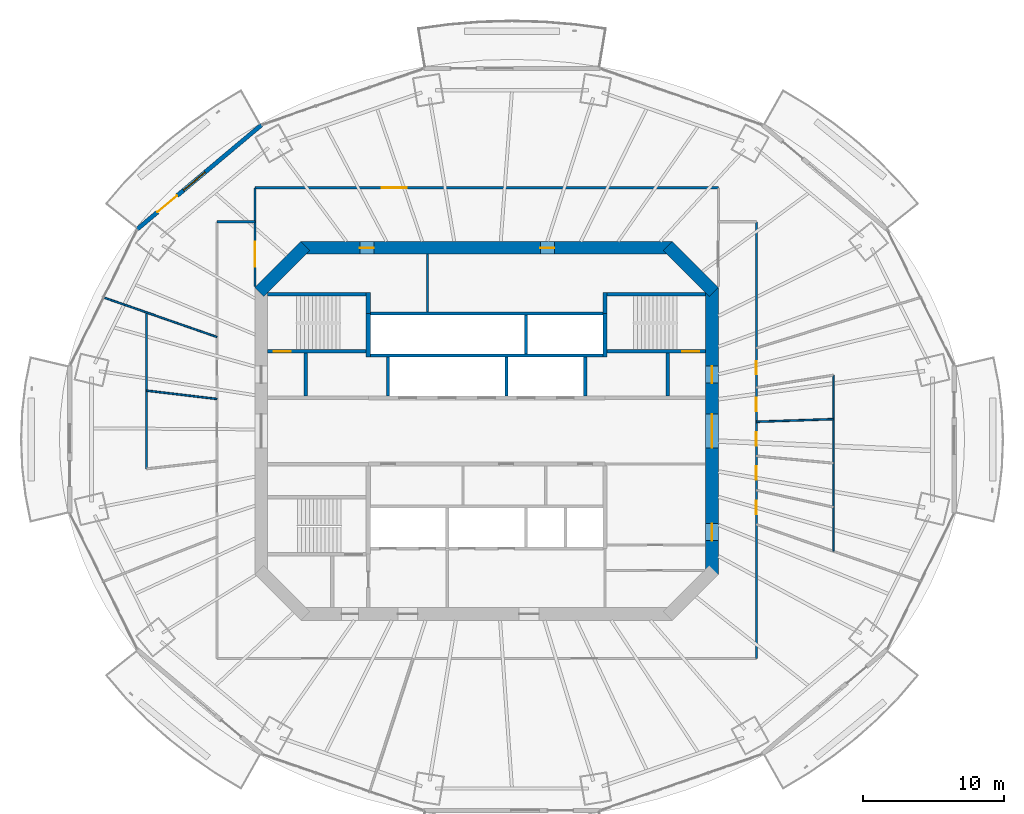
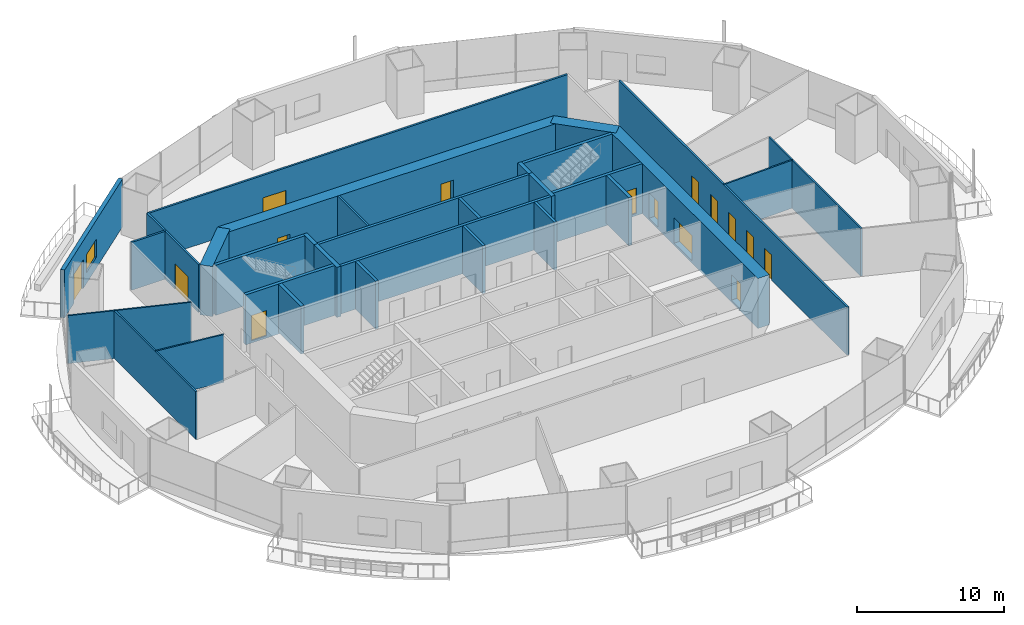
# One storey, part 13 of 20: 31 walls, 15 doors, 1 window, 16 openings.
"""IFC4 building model written with IfcOpenShell, lengths in metres."""

from ifc_helpers import new_model, si_unit, direction, frame, frame_2d, origin, place, context, subcontext, project, spatial, rectangle, extrude, material, layer, layer_set, type_object, element, fill, save


model = new_model("IFC4")

# Units and contexts
model_context = context("Model", 3, precision=1e-05, world=origin(), true_north=direction((0.0, 1.0)))
body_context = subcontext(model_context, "Body", "Model", "MODEL_VIEW")
ifc_project = project(units=[si_unit("LENGTHUNIT", "METRE"), si_unit("AREAUNIT", "SQUARE_METRE"), si_unit("VOLUMEUNIT", "CUBIC_METRE"), si_unit("PLANEANGLEUNIT", "RADIAN"), si_unit("MASSUNIT", "GRAM", prefix="KILO")], contexts=[model_context])

# Site, building, storey
site_placement = place(None, origin())
site = spatial("IfcSite", under=ifc_project, at=site_placement, CompositionType="ELEMENT")
building_placement = place(site_placement, origin())
building = spatial("IfcBuilding", under=site, at=building_placement, Name="Marenthal Gate Tower", CompositionType="ELEMENT")
storey_placement = place(building_placement, frame((0.0, 0.0, 194.25)))
storey = spatial("IfcBuildingStorey", under=building, at=storey_placement, Name="L42", CompositionType="ELEMENT", Elevation=194.25)

# Wall, openings, doors
ifc_material_1 = material(Name="Concrete 60 MPa", Category="concrete")
ifc_layer_1 = layer(ifc_material_1, 0.89990234375)
ifc_layer_set_1 = layer_set([ifc_layer_1], Name="Core shear wall 900")
wall_type_1 = type_object("IfcWallType", Name="Core shear wall 900", PredefinedType="SHEAR", material=ifc_layer_set_1)
wall_1_placement = place(storey_placement, frame((16.0, -10.186279296875, -0.179931640625), z_axis=(0.0, 0.0, 1.0), x_axis=(0.0, 1.0, 0.0)))
wall_1 = element("IfcWall", 1, at=wall_1_placement, inside=storey, type_object=wall_type_1, Name="Core wall 02", PredefinedType="SHEAR", context=body_context, shape_type="SweptSolid", body=[
    extrude(rectangle(XDim=20.37255859375, YDim=0.89990234375, at=frame_2d((10.186279296875, 0.0))), origin(), (0.0, 0.0, 1.0), 4.14990234375),
])
opening_1_placement = place(wall_1_placement, frame((8.986328125, 0.0, 0.179931640625)))
opening_1 = element("IfcOpeningElement", 2, at=opening_1_placement, cuts=wall_1, Name="Opening D003.02", PredefinedType="OPENING", context=body_context, shape_type="SweptSolid", body=[
    extrude(rectangle(XDim=2.39990234375, YDim=2.10009765625, at=frame_2d((1.199951171875, 1.050048828125))), frame((0.0, 0.4599609375, 0.0), z_axis=(0.0, -1.0, 0.0), x_axis=(1.0, 0.0, 0.0)), (0.0, 0.0, 1.0), 0.919921875),
])
opening_2_placement = place(wall_1_placement, frame((13.58642578125, 0.0, 0.179931640625)))
opening_2 = element("IfcOpeningElement", 3, at=opening_2_placement, cuts=wall_1, Name="Opening D001.05", PredefinedType="OPENING", context=body_context, shape_type="SweptSolid", body=[
    extrude(rectangle(XDim=1.199951171875, YDim=2.10009765625, at=frame_2d((0.60009765625, 1.050048828125))), frame((0.0, 0.4599609375, 0.0), z_axis=(0.0, -1.0, 0.0), x_axis=(1.0, 0.0, 0.0)), (0.0, 0.0, 1.0), 0.919921875),
])
opening_3_placement = place(wall_1_placement, frame((2.39990234375, 0.0, 0.179931640625)))
opening_3 = element("IfcOpeningElement", 4, at=opening_3_placement, cuts=wall_1, Name="Opening D006.01", PredefinedType="OPENING", context=body_context, shape_type="SweptSolid", body=[
    extrude(rectangle(XDim=1.199951171875, YDim=2.10009765625, at=frame_2d((0.60009765625, 1.050048828125))), frame((0.0, 0.4599609375, 0.0), z_axis=(0.0, -1.0, 0.0), x_axis=(1.0, 0.0, 0.0)), (0.0, 0.0, 1.0), 0.919921875),
])
ifc_material_2 = material(Name="Steel fire door", Category="steel")
door_type_1 = type_object("IfcDoorType", Name="Double fire door FD 45 2400 x 2100", OperationType="DOUBLE_DOOR_SINGLE_SWING", PredefinedType="DOOR", material=ifc_material_2)
door_1_placement = place(opening_1_placement, origin())
door_1 = element("IfcDoor", 5, at=door_1_placement, inside=storey, type_object=door_type_1, Name="Door D003.02", OperationType="DOUBLE_DOOR_SINGLE_SWING", OverallHeight=2.10009765625, OverallWidth=2.39990234375, PredefinedType="DOOR", context=body_context, shape_type="SweptSolid", body=[
    extrude(rectangle(XDim=2.39990234375, YDim=2.10009765625, at=frame_2d((1.199951171875, 1.050048828125))), frame((0.0, 0.02490234375, 0.0), z_axis=(0.0, -1.0, 0.0), x_axis=(1.0, 0.0, 0.0)), (0.0, 0.0, 1.0), 0.050048828125),
])
fill(opening_1, door_1)
ifc_material_3 = material(Name="Steel fire door", Category="steel")
door_type_2 = type_object("IfcDoorType", Name="Fire door FD 45 1200 x 2100", OperationType="NOTDEFINED", PredefinedType="DOOR", material=ifc_material_3)
door_2_placement = place(opening_3_placement, origin())
door_2 = element("IfcDoor", 6, at=door_2_placement, inside=storey, type_object=door_type_2, Name="Door D006.01", OperationType="SINGLE_SWING_RIGHT", OverallHeight=2.10009765625, OverallWidth=1.199951171875, PredefinedType="DOOR", context=body_context, shape_type="SweptSolid", body=[
    extrude(rectangle(XDim=1.199951171875, YDim=2.10009765625, at=frame_2d((0.60009765625, 1.050048828125))), frame((0.0, 0.02490234375, 0.0), z_axis=(0.0, -1.0, 0.0), x_axis=(1.0, 0.0, 0.0)), (0.0, 0.0, 1.0), 0.050048828125),
])
fill(opening_3, door_2)
ifc_material_4 = material(Name="Steel fire door", Category="steel")
door_type_3 = type_object("IfcDoorType", Name="Fire door FD 90 1200 x 2100", OperationType="NOTDEFINED", PredefinedType="DOOR", material=ifc_material_4)
door_3_placement = place(opening_2_placement, origin())
door_3 = element("IfcDoor", 7, at=door_3_placement, inside=storey, type_object=door_type_3, Name="Door D001.05", OperationType="SINGLE_SWING_RIGHT", OverallHeight=2.10009765625, OverallWidth=1.199951171875, PredefinedType="DOOR", context=body_context, shape_type="SweptSolid", body=[
    extrude(rectangle(XDim=1.199951171875, YDim=2.10009765625, at=frame_2d((0.60009765625, 1.050048828125))), frame((0.0, 0.02490234375, 0.0), z_axis=(0.0, -1.0, 0.0), x_axis=(1.0, 0.0, 0.0)), (0.0, 0.0, 1.0), 0.050048828125),
])
fill(opening_2, door_3)

# Wall
wall_2_placement = place(storey_placement, frame((16.1318359375, 9.8681640625, -0.179931640625), z_axis=(0.0, 0.0, 1.0), x_axis=(-0.707106781187, 0.707106781187, 0.0)))
element("IfcWall", 8, at=wall_2_placement, inside=storey, type_object=wall_type_1, Name="Core wall 03", PredefinedType="SHEAR", context=body_context, shape_type="SweptSolid", body=[
    extrude(rectangle(XDim=4.615478515625, YDim=0.89990234375, at=frame_2d((2.3076171875, 0.0))), origin(), (0.0, 0.0, 1.0), 4.14990234375),
])

# Wall, openings, doors
wall_3_placement = place(storey_placement, frame((13.186279296875, 13.0, -0.179931640625), z_axis=(0.0, 0.0, 1.0), x_axis=(-1.0, 0.0, 0.0)))
wall_3 = element("IfcWall", 9, at=wall_3_placement, inside=storey, type_object=wall_type_1, Name="Core wall 04", PredefinedType="SHEAR", context=body_context, shape_type="SweptSolid", body=[
    extrude(rectangle(XDim=26.37255859375, YDim=0.89990234375, at=frame_2d((13.186279296875, 0.0))), origin(), (0.0, 0.0, 1.0), 4.14990234375),
])
opening_4_placement = place(wall_3_placement, frame((21.193359375, 0.0, 0.179931640625)))
opening_4 = element("IfcOpeningElement", 10, at=opening_4_placement, cuts=wall_3, Name="Opening D005.04", PredefinedType="OPENING", context=body_context, shape_type="SweptSolid", body=[
    extrude(rectangle(XDim=1.0, YDim=2.10009765625, at=frame_2d((0.5, 1.050048828125))), frame((0.0, 0.4599609375, 0.0), z_axis=(0.0, -1.0, 0.0), x_axis=(1.0, 0.0, 0.0)), (0.0, 0.0, 1.0), 0.919921875),
])
opening_5_placement = place(wall_3_placement, frame((8.37939453125, 0.0, 0.179931640625)))
opening_5 = element("IfcOpeningElement", 11, at=opening_5_placement, cuts=wall_3, Name="Opening D005.05", PredefinedType="OPENING", context=body_context, shape_type="SweptSolid", body=[
    extrude(rectangle(XDim=1.0, YDim=2.10009765625, at=frame_2d((0.5, 1.050048828125))), frame((0.0, 0.4599609375, 0.0), z_axis=(0.0, -1.0, 0.0), x_axis=(1.0, 0.0, 0.0)), (0.0, 0.0, 1.0), 0.919921875),
])
ifc_material_5 = material(Name="Steel fire door", Category="steel")
door_type_4 = type_object("IfcDoorType", Name="Fire door FD 45 1000 x 2100", OperationType="NOTDEFINED", PredefinedType="DOOR", material=ifc_material_5)
door_4_placement = place(opening_4_placement, origin())
door_4 = element("IfcDoor", 12, at=door_4_placement, inside=storey, type_object=door_type_4, Name="Door D005.04", OperationType="SINGLE_SWING_RIGHT", OverallHeight=2.10009765625, OverallWidth=1.0, PredefinedType="DOOR", context=body_context, shape_type="SweptSolid", body=[
    extrude(rectangle(XDim=1.0, YDim=2.10009765625, at=frame_2d((0.5, 1.050048828125))), frame((0.0, 0.02490234375, 0.0), z_axis=(0.0, -1.0, 0.0), x_axis=(1.0, 0.0, 0.0)), (0.0, 0.0, 1.0), 0.050048828125),
])
fill(opening_4, door_4)
door_5_placement = place(opening_5_placement, origin())
door_5 = element("IfcDoor", 13, at=door_5_placement, inside=storey, type_object=door_type_4, Name="Door D005.05", OperationType="SINGLE_SWING_RIGHT", OverallHeight=2.10009765625, OverallWidth=1.0, PredefinedType="DOOR", context=body_context, shape_type="SweptSolid", body=[
    extrude(rectangle(XDim=1.0, YDim=2.10009765625, at=frame_2d((0.5, 1.050048828125))), frame((0.0, 0.02490234375, 0.0), z_axis=(0.0, -1.0, 0.0), x_axis=(1.0, 0.0, 0.0)), (0.0, 0.0, 1.0), 0.050048828125),
])
fill(opening_5, door_5)

# Walls
wall_4_placement = place(storey_placement, frame((-12.8681640625, 13.1318359375, -0.179931640625), z_axis=(0.0, 0.0, 1.0), x_axis=(-0.707106781187, -0.707106781187, 0.0)))
element("IfcWall", 14, at=wall_4_placement, inside=storey, type_object=wall_type_1, Name="Core wall 05", PredefinedType="SHEAR", context=body_context, shape_type="SweptSolid", body=[
    extrude(rectangle(XDim=4.615478515625, YDim=0.89990234375, at=frame_2d((2.3076171875, 0.0))), origin(), (0.0, 0.0, 1.0), 4.14990234375),
])
ifc_material_6 = material(Name="Concrete 50 MPa", Category="concrete")
ifc_layer_2 = layer(ifc_material_6, 0.300048828125)
ifc_layer_set_2 = layer_set([ifc_layer_2], Name="Hoistway shear wall 300")
wall_type_2 = type_object("IfcWallType", Name="Hoistway shear wall 300", PredefinedType="SHEAR", material=ifc_layer_set_2)
for number, where, z_axis, x_axis, name in (
    (15, (-8.39990234375, 5.239990234375, -0.179931640625), (0.0, 0.0, 1.0), (0.0, 1.0, 0.0), "Hoistway wall 32"),
    (16, (8.39990234375, 5.239990234375, -0.179931640625), (0.0, 0.0, 1.0), (0.0, 1.0, 0.0), "Hoistway wall 47"),
):
    element("IfcWall", number, at=place(storey_placement, frame(where, z_axis=z_axis, x_axis=x_axis)), inside=storey, type_object=wall_type_2, Name=name, PredefinedType="SHEAR", context=body_context, shape_type="SweptSolid", body=[
        extrude(rectangle(XDim=3.110107421875, YDim=0.300048828125, at=frame_2d((1.55517578125, 0.0))), origin(), (0.0, 0.0, 1.0), 4.14990234375),
    ])
ifc_material_7 = material(Name="Concrete 40 MPa", Category="concrete")
ifc_layer_3 = layer(ifc_material_7, 0.219970703125)
ifc_layer_set_3 = layer_set([ifc_layer_3], Name="Hoistway wall 220")
wall_type_3 = type_object("IfcWallType", Name="Hoistway wall 220", PredefinedType="STANDARD", material=ifc_layer_set_3)
for number, where, z_axis, x_axis, name in (
    (17, (-8.25, 5.35009765625, 0.0), (0.0, 0.0, 1.0), (1.0, 0.0, 0.0), "Hoistway wall 22"),
    (18, (-8.25, 8.35009765625, 0.0), (0.0, 0.0, 1.0), (1.0, 0.0, 0.0), "Hoistway wall 25"),
):
    element("IfcWall", number, at=place(storey_placement, frame(where, z_axis=z_axis, x_axis=x_axis)), inside=storey, type_object=wall_type_3, Name=name, PredefinedType="STANDARD", context=body_context, shape_type="SweptSolid", body=[
        extrude(rectangle(XDim=16.5, YDim=0.219970703125, at=frame_2d((8.25, 0.0))), origin(), (0.0, 0.0, 1.0), 3.969970703125),
    ])
for number, where, z_axis, x_axis, name in (
    (19, (-7.0, 2.5, 0.0), (0.0, 0.0, 1.0), (0.0, 1.0, 0.0), "Hoistway wall 34"),
    (20, (1.39990234375, 2.5, 0.0), (0.0, 0.0, 1.0), (0.0, 1.0, 0.0), "Hoistway wall 39"),
):
    element("IfcWall", number, at=place(storey_placement, frame(where, z_axis=z_axis, x_axis=x_axis)), inside=storey, type_object=wall_type_3, Name=name, PredefinedType="STANDARD", context=body_context, shape_type="SweptSolid", body=[
        extrude(rectangle(XDim=2.739990234375, YDim=0.219970703125, at=frame_2d((1.3701171875, 0.0))), origin(), (0.0, 0.0, 1.0), 3.969970703125),
    ])
wall_5_placement = place(storey_placement, frame((2.800048828125, 5.4599609375, 0.0), z_axis=(0.0, 0.0, 1.0), x_axis=(0.0, 1.0, 0.0)))
element("IfcWall", 21, at=wall_5_placement, inside=storey, type_object=wall_type_3, Name="Hoistway wall 41", PredefinedType="STANDARD", context=body_context, shape_type="SweptSolid", body=[
    extrude(rectangle(XDim=2.780029296875, YDim=0.219970703125, at=frame_2d((1.39013671875, 0.0))), origin(), (0.0, 0.0, 1.0), 3.969970703125),
])
wall_6_placement = place(storey_placement, frame((7.0, 2.5, 0.0), z_axis=(0.0, 0.0, 1.0), x_axis=(0.0, 1.0, 0.0)))
element("IfcWall", 22, at=wall_6_placement, inside=storey, type_object=wall_type_3, Name="Hoistway wall 44", PredefinedType="STANDARD", context=body_context, shape_type="SweptSolid", body=[
    extrude(rectangle(XDim=2.739990234375, YDim=0.219970703125, at=frame_2d((1.3701171875, 0.0))), origin(), (0.0, 0.0, 1.0), 3.969970703125),
])
ifc_material_8 = material(Name="Gypsum board on steel studs", Category="steel")
ifc_layer_4 = layer(ifc_material_8, 0.1201171875)
ifc_layer_set_4 = layer_set([ifc_layer_4], Name="Partition 120")
wall_type_4 = type_object("IfcWallType", Name="Partition 120", PredefinedType="PARTITIONING", material=ifc_layer_set_4)
wall_7_placement = place(storey_placement, frame((-24.14697265625, 2.864013671875, 0.0), z_axis=(0.0, 0.0, 1.0), x_axis=(0.993037544931, -0.117798278244, 0.0)))
element("IfcWall", 23, at=wall_7_placement, inside=storey, type_object=wall_type_4, Name="Partition wall 51", PredefinedType="PARTITIONING", context=body_context, shape_type="SweptSolid", body=[
    extrude(rectangle(XDim=5.0322265625, YDim=0.1201171875, at=frame_2d((2.51611328125, 0.0))), origin(), (0.0, 0.0, 1.0), 3.969970703125),
])
wall_8_placement = place(storey_placement, frame((-24.14697265625, 8.41455078125, 0.0), z_axis=(0.0, 0.0, 1.0), x_axis=(0.0, -1.0, 0.0)))
element("IfcWall", 24, at=wall_8_placement, inside=storey, type_object=wall_type_4, Name="Partition wall 52", PredefinedType="PARTITIONING", context=body_context, shape_type="SweptSolid", body=[
    extrude(rectangle(XDim=11.10107421875, YDim=0.1201171875, at=frame_2d((5.550537109375, 0.0))), origin(), (0.0, 0.0, 1.0), 3.969970703125),
])
wall_9_placement = place(storey_placement, frame((-19.14990234375, 6.673095703125, 0.0), z_axis=(0.0, 0.0, 1.0), x_axis=(-0.944308326955, 0.329061975382, 0.0)))
element("IfcWall", 25, at=wall_9_placement, inside=storey, type_object=wall_type_4, Name="Partition wall 55", PredefinedType="PARTITIONING", context=body_context, shape_type="SweptSolid", body=[
    extrude(rectangle(XDim=8.53515625, YDim=0.1201171875, at=frame_2d((4.267578125, 0.0))), origin(), (0.0, 0.0, 1.0), 3.969970703125),
])
wall_10_placement = place(storey_placement, frame((24.61865234375, -8.535400390625, 0.0), z_axis=(0.0, 0.0, 1.0), x_axis=(0.0, 1.0, 0.0)))
element("IfcWall", 26, at=wall_10_placement, inside=storey, type_object=wall_type_4, Name="Partition wall 66", PredefinedType="PARTITIONING", context=body_context, shape_type="SweptSolid", body=[
    extrude(rectangle(XDim=12.498779296875, YDim=0.1201171875, at=frame_2d((6.24951171875, 0.0))), origin(), (0.0, 0.0, 1.0), 3.969970703125),
])
wall_11_placement = place(storey_placement, frame((24.61865234375, 0.838623046875, 0.0), z_axis=(0.0, 0.0, 1.0), x_axis=(-0.99942037738, -0.034042756605, 0.0)))
element("IfcWall", 27, at=wall_11_placement, inside=storey, type_object=wall_type_4, Name="Partition wall 69", PredefinedType="PARTITIONING", context=body_context, shape_type="SweptSolid", body=[
    extrude(rectangle(XDim=5.471923828125, YDim=0.1201171875, at=frame_2d((2.73583984375, 0.0))), origin(), (0.0, 0.0, 1.0), 3.969970703125),
])
ifc_material_9 = material(Name="Gypsum board on steel studs", Category="steel")
ifc_layer_5 = layer(ifc_material_9, 0.14990234375)
ifc_layer_set_5 = layer_set([ifc_layer_5], Name="Partition 150")
wall_type_5 = type_object("IfcWallType", Name="Partition 150", PredefinedType="PARTITIONING", material=ifc_layer_set_5)
wall_12_placement = place(storey_placement, frame((-4.199951171875, 8.4599609375, 0.0), z_axis=(0.0, 0.0, 1.0), x_axis=(0.0, 1.0, 0.0)))
element("IfcWall", 28, at=wall_12_placement, inside=storey, type_object=wall_type_5, Name="Partition wall 35", PredefinedType="PARTITIONING", context=body_context, shape_type="SweptSolid", body=[
    extrude(rectangle(XDim=4.090087890625, YDim=0.14990234375, at=frame_2d((2.044921875, 0.0))), origin(), (0.0, 0.0, 1.0), 3.969970703125),
])
wall_13_placement = place(storey_placement, frame((-19.14990234375, 14.853759765625, 0.0), z_axis=(0.0, 0.0, 1.0), x_axis=(1.0, 0.0, 0.0)))
element("IfcWall", 29, at=wall_13_placement, inside=storey, type_object=wall_type_5, Name="Partition wall 56", PredefinedType="PARTITIONING", context=body_context, shape_type="SweptSolid", body=[
    extrude(rectangle(XDim=2.699951171875, YDim=0.14990234375, at=frame_2d((1.35009765625, 0.0))), origin(), (0.0, 0.0, 1.0), 3.969970703125),
])

# Wall, opening, door
wall_14_placement = place(storey_placement, frame((-16.449951171875, 10.25, 0.0), z_axis=(0.0, 0.0, 1.0), x_axis=(0.0, 1.0, 0.0)))
wall_14 = element("IfcWall", 30, at=wall_14_placement, inside=storey, type_object=wall_type_5, Name="Partition wall 57", PredefinedType="PARTITIONING", context=body_context, shape_type="SweptSolid", body=[
    extrude(rectangle(XDim=7.01611328125, YDim=0.14990234375, at=frame_2d((3.508056640625, 0.0))), origin(), (0.0, 0.0, 1.0), 3.969970703125),
])
opening_6_placement = place(wall_14_placement, frame((1.402099609375, 0.0, 0.0)))
opening_6 = element("IfcOpeningElement", 31, at=opening_6_placement, cuts=wall_14, Name="Opening D014.05", PredefinedType="OPENING", context=body_context, shape_type="SweptSolid", body=[
    extrude(rectangle(XDim=1.800048828125, YDim=2.10009765625, at=frame_2d((0.89990234375, 1.050048828125))), frame((0.0, 0.0849609375, 0.0), z_axis=(0.0, -1.0, 0.0), x_axis=(1.0, 0.0, 0.0)), (0.0, 0.0, 1.0), 0.169921875),
])
ifc_material_10 = material(Name="Timber door", Category="wood")
door_type_5 = type_object("IfcDoorType", Name="Double door 1800 x 2100", OperationType="DOUBLE_DOOR_SINGLE_SWING", PredefinedType="DOOR", material=ifc_material_10)
door_6_placement = place(opening_6_placement, origin())
door_6 = element("IfcDoor", 32, at=door_6_placement, inside=storey, type_object=door_type_5, Name="Door D014.05", OperationType="DOUBLE_DOOR_SINGLE_SWING", OverallHeight=2.10009765625, OverallWidth=1.800048828125, PredefinedType="DOOR", context=body_context, shape_type="SweptSolid", body=[
    extrude(rectangle(XDim=1.800048828125, YDim=2.10009765625, at=frame_2d((0.89990234375, 1.050048828125))), frame((0.0, 0.02490234375, 0.0), z_axis=(0.0, -1.0, 0.0), x_axis=(1.0, 0.0, 0.0)), (0.0, 0.0, 1.0), 0.050048828125),
])
fill(opening_6, door_6)

wall_15_placement = place(storey_placement, frame((-16.449951171875, 17.26611328125, 0.0), z_axis=(0.0, 0.0, 1.0), x_axis=(1.0, 0.0, 0.0)))
wall_15 = element("IfcWall", 33, at=wall_15_placement, inside=storey, type_object=wall_type_5, Name="Partition wall 58", PredefinedType="PARTITIONING", context=body_context, shape_type="SweptSolid", body=[
    extrude(rectangle(XDim=32.89990234375, YDim=0.14990234375, at=frame_2d((16.449951171875, 0.0))), origin(), (0.0, 0.0, 1.0), 3.969970703125),
])
opening_7_placement = place(wall_15_placement, frame((8.985107421875, 0.0, 0.0)))
opening_7 = element("IfcOpeningElement", 34, at=opening_7_placement, cuts=wall_15, Name="Opening D014.01", PredefinedType="OPENING", context=body_context, shape_type="SweptSolid", body=[
    extrude(rectangle(XDim=1.800048828125, YDim=2.10009765625, at=frame_2d((0.89990234375, 1.050048828125))), frame((0.0, 0.0849609375, 0.0), z_axis=(0.0, -1.0, 0.0), x_axis=(1.0, 0.0, 0.0)), (0.0, 0.0, 1.0), 0.169921875),
])
door_7_placement = place(opening_7_placement, origin())
door_7 = element("IfcDoor", 35, at=door_7_placement, inside=storey, type_object=door_type_5, Name="Door D014.01", OperationType="DOUBLE_DOOR_SINGLE_SWING", OverallHeight=2.10009765625, OverallWidth=1.800048828125, PredefinedType="DOOR", context=body_context, shape_type="SweptSolid", body=[
    extrude(rectangle(XDim=1.800048828125, YDim=2.10009765625, at=frame_2d((0.89990234375, 1.050048828125))), frame((0.0, 0.02490234375, 0.0), z_axis=(0.0, -1.0, 0.0), x_axis=(1.0, 0.0, 0.0)), (0.0, 0.0, 1.0), 0.050048828125),
])
fill(opening_7, door_7)

# Wall, openings, doors
wall_16_placement = place(storey_placement, frame((19.14990234375, 14.853759765625, 0.0), z_axis=(0.0, 0.0, 1.0), x_axis=(0.0, -1.0, 0.0)))
wall_16 = element("IfcWall", 36, at=wall_16_placement, inside=storey, type_object=wall_type_5, Name="Partition wall 65", PredefinedType="PARTITIONING", context=body_context, shape_type="SweptSolid", body=[
    extrude(rectangle(XDim=31.003662109375, YDim=0.14990234375, at=frame_2d((15.501953125, 0.0))), origin(), (0.0, 0.0, 1.0), 3.969970703125),
])
opening_8_placement = place(wall_16_placement, frame((19.802978515625, 0.0, 0.0)))
opening_8 = element("IfcOpeningElement", 37, at=opening_8_placement, cuts=wall_16, Name="Opening D016.03", PredefinedType="OPENING", context=body_context, shape_type="SweptSolid", body=[
    extrude(rectangle(XDim=0.949951171875, YDim=2.10009765625, at=frame_2d((0.47509765625, 1.050048828125))), frame((0.0, 0.0849609375, 0.0), z_axis=(0.0, -1.0, 0.0), x_axis=(1.0, 0.0, 0.0)), (0.0, 0.0, 1.0), 0.169921875),
])
opening_9_placement = place(wall_16_placement, frame((17.3720703125, 0.0, 0.0)))
opening_9 = element("IfcOpeningElement", 38, at=opening_9_placement, cuts=wall_16, Name="Opening D016.04", PredefinedType="OPENING", context=body_context, shape_type="SweptSolid", body=[
    extrude(rectangle(XDim=0.949951171875, YDim=2.10009765625, at=frame_2d((0.47509765625, 1.050048828125))), frame((0.0, 0.0849609375, 0.0), z_axis=(0.0, -1.0, 0.0), x_axis=(1.0, 0.0, 0.0)), (0.0, 0.0, 1.0), 0.169921875),
])
opening_10_placement = place(wall_16_placement, frame((14.94189453125, 0.0, 0.0)))
opening_10 = element("IfcOpeningElement", 39, at=opening_10_placement, cuts=wall_16, Name="Opening D016.05", PredefinedType="OPENING", context=body_context, shape_type="SweptSolid", body=[
    extrude(rectangle(XDim=0.949951171875, YDim=2.10009765625, at=frame_2d((0.47509765625, 1.050048828125))), frame((0.0, 0.0849609375, 0.0), z_axis=(0.0, -1.0, 0.0), x_axis=(1.0, 0.0, 0.0)), (0.0, 0.0, 1.0), 0.169921875),
])
opening_11_placement = place(wall_16_placement, frame((12.510986328125, 0.0, 0.0)))
opening_11 = element("IfcOpeningElement", 40, at=opening_11_placement, cuts=wall_16, Name="Opening D016.06", PredefinedType="OPENING", context=body_context, shape_type="SweptSolid", body=[
    extrude(rectangle(XDim=0.949951171875, YDim=2.10009765625, at=frame_2d((0.47509765625, 1.050048828125))), frame((0.0, 0.0849609375, 0.0), z_axis=(0.0, -1.0, 0.0), x_axis=(1.0, 0.0, 0.0)), (0.0, 0.0, 1.0), 0.169921875),
])
opening_12_placement = place(wall_16_placement, frame((9.89111328125, 0.0, 0.0)))
opening_12 = element("IfcOpeningElement", 41, at=opening_12_placement, cuts=wall_16, Name="Opening D016.07", PredefinedType="OPENING", context=body_context, shape_type="SweptSolid", body=[
    extrude(rectangle(XDim=0.949951171875, YDim=2.10009765625, at=frame_2d((0.47509765625, 1.050048828125))), frame((0.0, 0.0849609375, 0.0), z_axis=(0.0, -1.0, 0.0), x_axis=(1.0, 0.0, 0.0)), (0.0, 0.0, 1.0), 0.169921875),
])
ifc_material_11 = material(Name="Timber door", Category="wood")
door_type_6 = type_object("IfcDoorType", Name="Door 950 x 2100", OperationType="NOTDEFINED", PredefinedType="DOOR", material=ifc_material_11)
door_8_placement = place(opening_8_placement, origin())
door_8 = element("IfcDoor", 42, at=door_8_placement, inside=storey, type_object=door_type_6, Name="Door D016.03", OperationType="SINGLE_SWING_RIGHT", OverallHeight=2.10009765625, OverallWidth=0.949951171875, PredefinedType="DOOR", context=body_context, shape_type="SweptSolid", body=[
    extrude(rectangle(XDim=0.949951171875, YDim=2.10009765625, at=frame_2d((0.47509765625, 1.050048828125))), frame((0.0, 0.02490234375, 0.0), z_axis=(0.0, -1.0, 0.0), x_axis=(1.0, 0.0, 0.0)), (0.0, 0.0, 1.0), 0.050048828125),
])
fill(opening_8, door_8)
door_9_placement = place(opening_9_placement, origin())
door_9 = element("IfcDoor", 43, at=door_9_placement, inside=storey, type_object=door_type_6, Name="Door D016.04", OperationType="SINGLE_SWING_RIGHT", OverallHeight=2.10009765625, OverallWidth=0.949951171875, PredefinedType="DOOR", context=body_context, shape_type="SweptSolid", body=[
    extrude(rectangle(XDim=0.949951171875, YDim=2.10009765625, at=frame_2d((0.47509765625, 1.050048828125))), frame((0.0, 0.02490234375, 0.0), z_axis=(0.0, -1.0, 0.0), x_axis=(1.0, 0.0, 0.0)), (0.0, 0.0, 1.0), 0.050048828125),
])
fill(opening_9, door_9)
door_10_placement = place(opening_10_placement, origin())
door_10 = element("IfcDoor", 44, at=door_10_placement, inside=storey, type_object=door_type_6, Name="Door D016.05", OperationType="SINGLE_SWING_RIGHT", OverallHeight=2.10009765625, OverallWidth=0.949951171875, PredefinedType="DOOR", context=body_context, shape_type="SweptSolid", body=[
    extrude(rectangle(XDim=0.949951171875, YDim=2.10009765625, at=frame_2d((0.47509765625, 1.050048828125))), frame((0.0, 0.02490234375, 0.0), z_axis=(0.0, -1.0, 0.0), x_axis=(1.0, 0.0, 0.0)), (0.0, 0.0, 1.0), 0.050048828125),
])
fill(opening_10, door_10)
door_11_placement = place(opening_11_placement, origin())
door_11 = element("IfcDoor", 45, at=door_11_placement, inside=storey, type_object=door_type_6, Name="Door D016.06", OperationType="SINGLE_SWING_RIGHT", OverallHeight=2.10009765625, OverallWidth=0.949951171875, PredefinedType="DOOR", context=body_context, shape_type="SweptSolid", body=[
    extrude(rectangle(XDim=0.949951171875, YDim=2.10009765625, at=frame_2d((0.47509765625, 1.050048828125))), frame((0.0, 0.02490234375, 0.0), z_axis=(0.0, -1.0, 0.0), x_axis=(1.0, 0.0, 0.0)), (0.0, 0.0, 1.0), 0.050048828125),
])
fill(opening_11, door_11)
door_12_placement = place(opening_12_placement, origin())
door_12 = element("IfcDoor", 46, at=door_12_placement, inside=storey, type_object=door_type_6, Name="Door D016.07", OperationType="SINGLE_SWING_RIGHT", OverallHeight=2.10009765625, OverallWidth=0.949951171875, PredefinedType="DOOR", context=body_context, shape_type="SweptSolid", body=[
    extrude(rectangle(XDim=0.949951171875, YDim=2.10009765625, at=frame_2d((0.47509765625, 1.050048828125))), frame((0.0, 0.02490234375, 0.0), z_axis=(0.0, -1.0, 0.0), x_axis=(1.0, 0.0, 0.0)), (0.0, 0.0, 1.0), 0.050048828125),
])
fill(opening_12, door_12)

# Walls
ifc_material_12 = material(Name="Concrete 40 MPa", Category="concrete")
ifc_layer_6 = layer(ifc_material_12, 0.25)
ifc_layer_set_6 = layer_set([ifc_layer_6], Name="Stair enclosure wall 250")
wall_type_6 = type_object("IfcWallType", Name="Stair enclosure wall 250", PredefinedType="STANDARD", material=ifc_layer_set_6)
for number, where, z_axis, x_axis, name in (
    (47, (-12.85009765625, 2.47509765625, 0.0), (0.0, 0.0, 1.0), (0.0, 1.0, 0.0), "Stair wall 28"),
    (48, (12.85009765625, 2.47509765625, 0.0), (0.0, 0.0, 1.0), (0.0, 1.0, 0.0), "Stair wall 49"),
):
    element("IfcWall", number, at=place(storey_placement, frame(where, z_axis=z_axis, x_axis=x_axis)), inside=storey, type_object=wall_type_6, Name=name, PredefinedType="STANDARD", context=body_context, shape_type="SweptSolid", body=[
        extrude(rectangle(XDim=3.0498046875, YDim=0.25, at=frame_2d((1.52490234375, 0.0))), origin(), (0.0, 0.0, 1.0), 3.969970703125),
    ])

# Wall, opening, door
ifc_material_13 = material(Name="Concrete 50 MPa", Category="concrete")
ifc_layer_7 = layer(ifc_material_13, 0.25)
ifc_layer_set_7 = layer_set([ifc_layer_7], Name="Stair shear wall 250")
wall_type_7 = type_object("IfcWallType", Name="Stair shear wall 250", PredefinedType="SHEAR", material=ifc_layer_set_7)
wall_17_placement = place(storey_placement, frame((-15.550048828125, 5.64990234375, -0.179931640625), z_axis=(0.0, 0.0, 1.0), x_axis=(1.0, 0.0, 0.0)))
wall_17 = element("IfcWall", 49, at=wall_17_placement, inside=storey, type_object=wall_type_7, Name="Stair wall 23", PredefinedType="SHEAR", context=body_context, shape_type="SweptSolid", body=[
    extrude(rectangle(XDim=7.0, YDim=0.25, at=frame_2d((3.5, 0.0))), origin(), (0.0, 0.0, 1.0), 4.14990234375),
])
opening_13_placement = place(wall_17_placement, frame((0.449951171875, 0.0, 0.179931640625)))
opening_13 = element("IfcOpeningElement", 50, at=opening_13_placement, cuts=wall_17, Name="Opening D001.01", PredefinedType="OPENING", context=body_context, shape_type="SweptSolid", body=[
    extrude(rectangle(XDim=1.199951171875, YDim=2.10009765625, at=frame_2d((0.60009765625, 1.050048828125))), frame((0.0, 0.135009765625, 0.0), z_axis=(0.0, -1.0, 0.0), x_axis=(1.0, 0.0, 0.0)), (0.0, 0.0, 1.0), 0.27001953125),
])
door_13_placement = place(opening_13_placement, origin())
door_13 = element("IfcDoor", 51, at=door_13_placement, inside=storey, type_object=door_type_3, Name="Door D001.01", OperationType="SINGLE_SWING_RIGHT", OverallHeight=2.10009765625, OverallWidth=1.199951171875, PredefinedType="DOOR", context=body_context, shape_type="SweptSolid", body=[
    extrude(rectangle(XDim=1.199951171875, YDim=2.10009765625, at=frame_2d((0.60009765625, 1.050048828125))), frame((0.0, 0.02490234375, 0.0), z_axis=(0.0, -1.0, 0.0), x_axis=(1.0, 0.0, 0.0)), (0.0, 0.0, 1.0), 0.050048828125),
])
fill(opening_13, door_13)

wall_18_placement = place(storey_placement, frame((8.550048828125, 5.64990234375, -0.179931640625), z_axis=(0.0, 0.0, 1.0), x_axis=(1.0, 0.0, 0.0)))
wall_18 = element("IfcWall", 52, at=wall_18_placement, inside=storey, type_object=wall_type_7, Name="Stair wall 24", PredefinedType="SHEAR", context=body_context, shape_type="SweptSolid", body=[
    extrude(rectangle(XDim=7.0, YDim=0.25, at=frame_2d((3.5, 0.0))), origin(), (0.0, 0.0, 1.0), 4.14990234375),
])
opening_14_placement = place(wall_18_placement, frame((5.35009765625, 0.0, 0.179931640625)))
opening_14 = element("IfcOpeningElement", 53, at=opening_14_placement, cuts=wall_18, Name="Opening D001.02", PredefinedType="OPENING", context=body_context, shape_type="SweptSolid", body=[
    extrude(rectangle(XDim=1.199951171875, YDim=2.10009765625, at=frame_2d((0.60009765625, 1.050048828125))), frame((0.0, 0.135009765625, 0.0), z_axis=(0.0, -1.0, 0.0), x_axis=(1.0, 0.0, 0.0)), (0.0, 0.0, 1.0), 0.27001953125),
])
door_14_placement = place(opening_14_placement, origin())
door_14 = element("IfcDoor", 54, at=door_14_placement, inside=storey, type_object=door_type_3, Name="Door D001.02", OperationType="SINGLE_SWING_RIGHT", OverallHeight=2.10009765625, OverallWidth=1.199951171875, PredefinedType="DOOR", context=body_context, shape_type="SweptSolid", body=[
    extrude(rectangle(XDim=1.199951171875, YDim=2.10009765625, at=frame_2d((0.60009765625, 1.050048828125))), frame((0.0, 0.02490234375, 0.0), z_axis=(0.0, -1.0, 0.0), x_axis=(1.0, 0.0, 0.0)), (0.0, 0.0, 1.0), 0.050048828125),
])
fill(opening_14, door_14)

# Walls
for number, where, z_axis, x_axis, name in (
    (55, (-15.550048828125, 9.699951171875, -0.179931640625), (0.0, 0.0, 1.0), (1.0, 0.0, 0.0), "Stair wall 26"),
    (56, (8.550048828125, 9.699951171875, -0.179931640625), (0.0, 0.0, 1.0), (1.0, 0.0, 0.0), "Stair wall 27"),
):
    element("IfcWall", number, at=place(storey_placement, frame(where, z_axis=z_axis, x_axis=x_axis)), inside=storey, type_object=wall_type_7, Name=name, PredefinedType="SHEAR", context=body_context, shape_type="SweptSolid", body=[
        extrude(rectangle(XDim=7.0, YDim=0.25, at=frame_2d((3.5, 0.0))), origin(), (0.0, 0.0, 1.0), 4.14990234375),
    ])
ifc_material_14 = material(Name="Concrete 50 MPa", Category="concrete")
ifc_layer_8 = layer(ifc_material_14, 0.300048828125)
ifc_layer_set_8 = layer_set([ifc_layer_8], Name="Stair shear wall 300")
wall_type_8 = type_object("IfcWallType", Name="Stair shear wall 300", PredefinedType="SHEAR", material=ifc_layer_set_8)
for number, where, z_axis, x_axis, name in (
    (57, (-8.39990234375, 8.35009765625, -0.179931640625), (0.0, 0.0, 1.0), (0.0, 1.0, 0.0), "Stair wall 33"),
    (58, (8.39990234375, 8.35009765625, -0.179931640625), (0.0, 0.0, 1.0), (0.0, 1.0, 0.0), "Stair wall 48"),
):
    element("IfcWall", number, at=place(storey_placement, frame(where, z_axis=z_axis, x_axis=x_axis)), inside=storey, type_object=wall_type_8, Name=name, PredefinedType="SHEAR", context=body_context, shape_type="SweptSolid", body=[
        extrude(rectangle(XDim=1.474853515625, YDim=0.300048828125, at=frame_2d((0.7373046875, 0.0))), origin(), (0.0, 0.0, 1.0), 4.14990234375),
    ])

# Wall, openings, door, window
ifc_material_15 = material(Name="Terracotta cladding on insulated concrete-block backing", Category="masonry")
ifc_layer_9 = layer(ifc_material_15, 0.300048828125)
ifc_layer_set_9 = layer_set([ifc_layer_9], Name="Terracotta facade wall 300")
wall_type_9 = type_object("IfcWallType", Name="Terracotta facade wall 300", PredefinedType="SOLIDWALL", material=ifc_layer_set_9)
wall_19_placement = place(storey_placement, frame((-15.986572265625, 21.734130859375, 0.0), z_axis=(0.0, 0.0, 1.0), x_axis=(-0.766082233378, -0.642742570321, 0.0)))
wall_19 = element("IfcWall", 59, at=wall_19_placement, inside=storey, type_object=wall_type_9, Name="Terracotta facade wall L42 bay 6", PredefinedType="SOLIDWALL", context=body_context, shape_type="SweptSolid", body=[
    extrude(rectangle(XDim=11.530029296875, YDim=0.300048828125, at=frame_2d((5.76513671875, 0.0))), origin(), (0.0, 0.0, 1.0), 3.969970703125),
])
opening_15_placement = place(wall_19_placement, frame((7.830078125, 0.0, 0.0)))
opening_15 = element("IfcOpeningElement", 60, at=opening_15_placement, cuts=wall_19, Name="Opening BD-L42-06", PredefinedType="OPENING", context=body_context, shape_type="SweptSolid", body=[
    extrude(rectangle(XDim=1.800048828125, YDim=2.39990234375, at=frame_2d((0.89990234375, 1.199951171875))), frame((0.0, 0.16015625, 0.0), z_axis=(0.0, -1.0, 0.0), x_axis=(1.0, 0.0, 0.0)), (0.0, 0.0, 1.0), 0.320068359375),
])
opening_16_placement = place(wall_19_placement, frame((5.22998046875, 0.0, 0.89990234375)))
opening_16 = element("IfcOpeningElement", 61, at=opening_16_placement, cuts=wall_19, Name="Opening WN2-L42-06", PredefinedType="OPENING", context=body_context, shape_type="SweptSolid", body=[
    extrude(rectangle(XDim=2.0, YDim=1.5, at=frame_2d((1.0, 0.75))), frame((0.0, 0.16015625, 0.0), z_axis=(0.0, -1.0, 0.0), x_axis=(1.0, 0.0, 0.0)), (0.0, 0.0, 1.0), 0.320068359375),
])
ifc_material_16 = material(Name="Aluminium and glass", Category="aluminium")
door_type_7 = type_object("IfcDoorType", Name="Balcony door 1800x2400", OperationType="DOUBLE_DOOR_SINGLE_SWING", PredefinedType="DOOR", material=ifc_material_16)
door_15_placement = place(opening_15_placement, origin())
door_15 = element("IfcDoor", 62, at=door_15_placement, inside=storey, type_object=door_type_7, Name="Balcony door L42 bay 6", OperationType="SINGLE_SWING_LEFT", OverallHeight=2.39990234375, OverallWidth=1.800048828125, PredefinedType="DOOR", context=body_context, shape_type="SweptSolid", body=[
    extrude(rectangle(XDim=1.800048828125, YDim=2.39990234375, at=frame_2d((0.89990234375, 1.199951171875))), frame((0.0, 0.02490234375, 0.0), z_axis=(0.0, -1.0, 0.0), x_axis=(1.0, 0.0, 0.0)), (0.0, 0.0, 1.0), 0.050048828125),
])
fill(opening_15, door_15)
ifc_material_17 = material(Name="Aluminium and glass", Category="aluminium")
window_type = type_object("IfcWindowType", Name="Window 2000x1500", PartitioningType="DOUBLE_PANEL_VERTICAL", PredefinedType="WINDOW", material=ifc_material_17)
window_placement = place(opening_16_placement, origin())
window = element("IfcWindow", 63, at=window_placement, inside=storey, type_object=window_type, Name="Window L42 bay 6", OverallHeight=1.5, OverallWidth=2.0, PartitioningType="SINGLE_PANEL", PredefinedType="WINDOW", context=body_context, shape_type="SweptSolid", body=[
    extrude(rectangle(XDim=2.0, YDim=1.5, at=frame_2d((1.0, 0.75))), frame((0.0, 0.030029296875, 0.0), z_axis=(0.0, -1.0, 0.0), x_axis=(1.0, 0.0, 0.0)), (0.0, 0.0, 1.0), 0.06005859375),
])
fill(opening_16, window)

save(model, "model.ifc")
